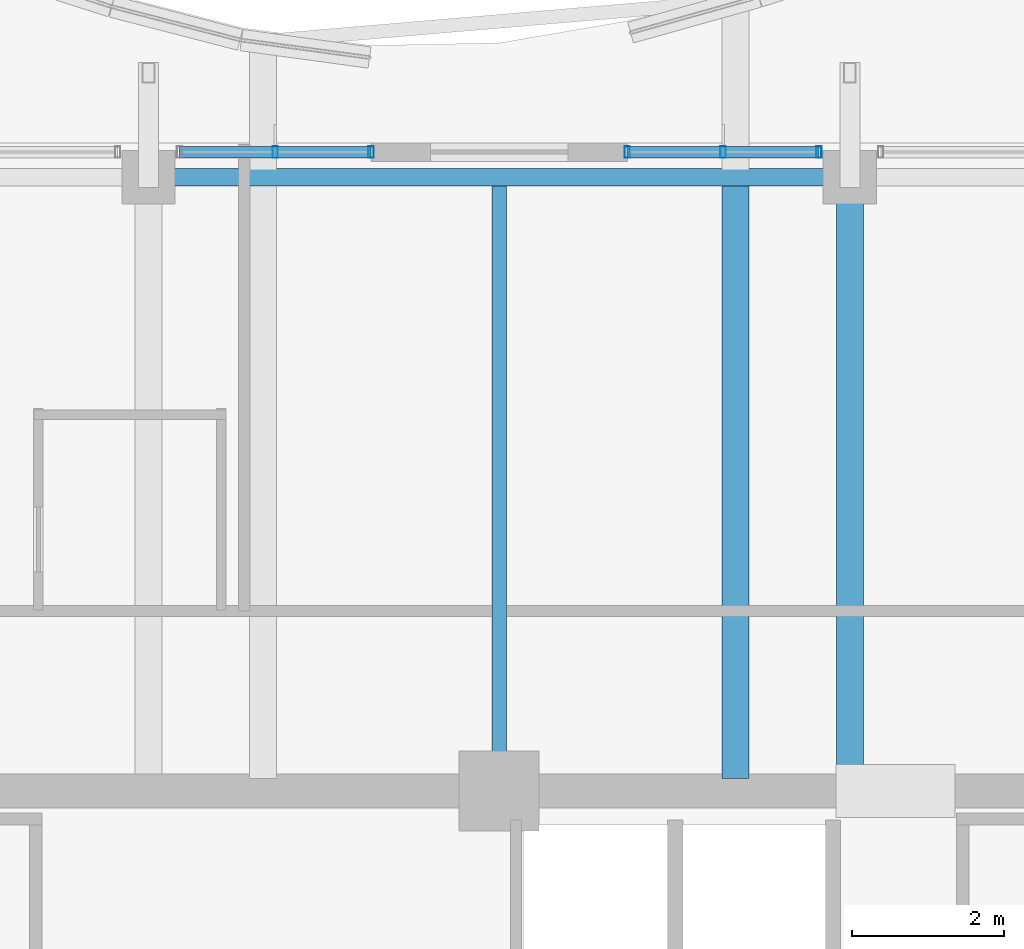
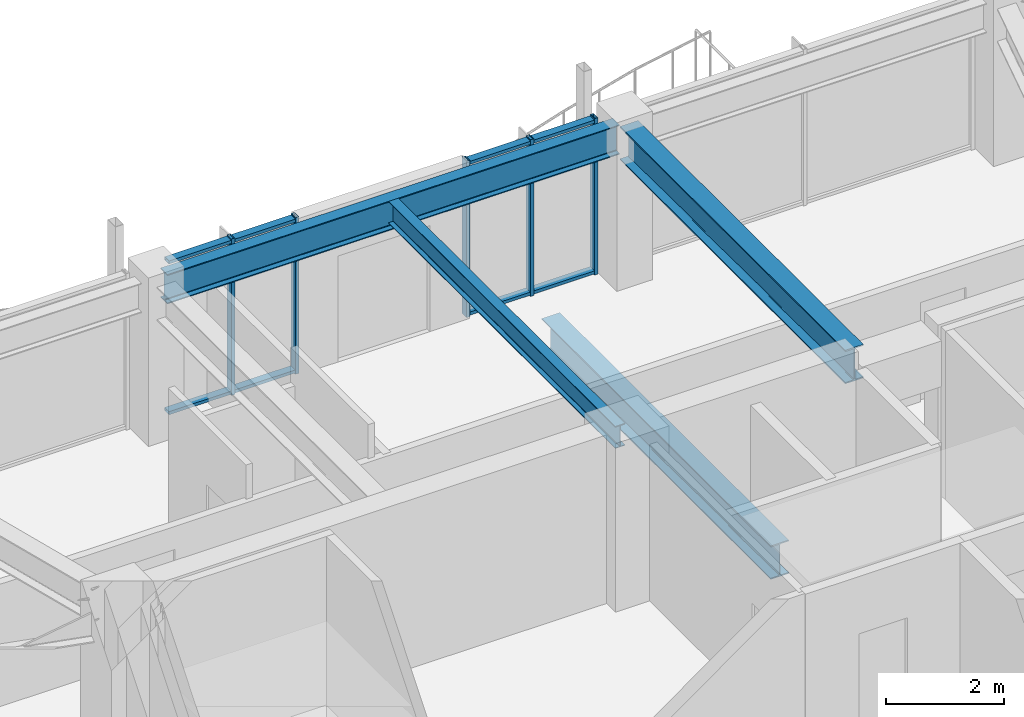
# One storey, part 16 of 31: 9 members, 4 beams, 2 elements without a shape of their own.
"""IFC4 building model written with IfcOpenShell, lengths in metres."""

from ifc_helpers import new_model, si_unit, direction, frame, origin, origin_2d, place, context, subcontext, project, spatial, hollow_rectangle, i_section, extrude, material, material_profile, profile_set, type_object, element, aggregate, save


model = new_model("IFC4")

# Units and contexts
model_context = context("Model", 3, precision=1e-05, world=origin(), true_north=direction((0.0, 1.0)))
body_context = subcontext(model_context, "Body", "Model", "MODEL_VIEW")
ifc_project = project(units=[si_unit("LENGTHUNIT", "METRE"), si_unit("AREAUNIT", "SQUARE_METRE"), si_unit("VOLUMEUNIT", "CUBIC_METRE"), si_unit("PLANEANGLEUNIT", "RADIAN"), si_unit("MASSUNIT", "GRAM", prefix="KILO")], contexts=[model_context])

# Site, building, storey
site_placement = place(None, origin())
site = spatial("IfcSite", under=ifc_project, at=site_placement, CompositionType="ELEMENT")
building_placement = place(site_placement, origin())
building = spatial("IfcBuilding", under=site, at=building_placement, Name="Kolvaren Belvedere", CompositionType="ELEMENT")
storey_placement = place(building_placement, frame((0.0, 0.0, 247.89990234375)))
storey = spatial("IfcBuildingStorey", under=building, at=storey_placement, Name="L72", CompositionType="ELEMENT", Elevation=247.89990234375)

# Beams
ifc_material_1 = material(Name="Structural steel ASTM A992 Grade 50", Category="steel")
ifc_material_profile_1 = material_profile(ifc_material_1, i_section(OverallWidth=0.35498046875, OverallDepth=0.696044921875, WebThickness=0.015380859375, FlangeThickness=0.02490234375, FilletRadius=0.02197265625, at=origin_2d()), Name="W27X146")
ifc_profile_set_1 = profile_set([ifc_material_profile_1], Name="Structural steel ASTM A992 Grade 50")
beam_type_1 = type_object("IfcBeamType", Name="BM-GIRD-W27X146", PredefinedType="BEAM", material=ifc_profile_set_1)
beam_1_placement = place(storey_placement, frame((3.10009765625, 10.06494140625, -0.597900390625), z_axis=(0.0, 1.0, 0.0), x_axis=(-1.0, 0.0, 0.0)))
element("IfcBeam", 1, at=beam_1_placement, inside=storey, type_object=beam_type_1, Name="L72 Balcony Interior Back-Span Girder BAL-N-2", PredefinedType="BEAM", context=body_context, shape_type="SweptSolid", body=[
    extrude(i_section(OverallWidth=0.35498046875, OverallDepth=0.696044921875, WebThickness=0.015380859375, FlangeThickness=0.02490234375, FilletRadius=0.02197265625, at=origin_2d()), origin(), (0.0, 0.0, 1.0), 7.7900390625),
])
beam_2_placement = place(storey_placement, frame((4.60009765625, 10.125, 2.902099609375), z_axis=(0.0, 1.0, 0.0), x_axis=(-1.0, 0.0, 0.0)))
element("IfcBeam", 2, at=beam_2_placement, inside=storey, type_object=beam_type_1, Name="L72 North Radial Girder P", PredefinedType="BEAM", context=body_context, shape_type="SweptSolid", body=[
    extrude(i_section(OverallWidth=0.35498046875, OverallDepth=0.696044921875, WebThickness=0.015380859375, FlangeThickness=0.02490234375, FilletRadius=0.02197265625, at=origin_2d()), origin(), (0.0, 0.0, 1.0), 7.66748046875),
])
ifc_material_2 = material(Name="Structural steel ASTM A992 Grade 50", Category="steel")
ifc_material_profile_2 = material_profile(ifc_material_2, i_section(OverallWidth=0.19091796875, OverallDepth=0.4599609375, WebThickness=0.010009765625, FlangeThickness=0.01611328125, FilletRadius=0.014892578125, at=origin_2d()), Name="W18X55")
ifc_profile_set_2 = profile_set([ifc_material_profile_2], Name="Structural steel ASTM A992 Grade 50")
beam_type_2 = type_object("IfcBeamType", Name="BM-JOIST-W18X55", PredefinedType="BEAM", material=ifc_profile_set_2)
beam_3_placement = place(storey_placement, frame((0.0, 10.125, 3.02001953125), z_axis=(0.0, 1.0, 0.0), x_axis=(-1.0, 0.0, 0.0)))
element("IfcBeam", 3, at=beam_3_placement, inside=storey, type_object=beam_type_2, Name="L72 North Centre Floor Beam", PredefinedType="BEAM", context=body_context, shape_type="SweptSolid", body=[
    extrude(i_section(OverallWidth=0.19091796875, OverallDepth=0.4599609375, WebThickness=0.010009765625, FlangeThickness=0.01611328125, FilletRadius=0.014892578125, at=origin_2d()), origin(), (0.0, 0.0, 1.0), 7.71044921875),
])
ifc_material_3 = material(Name="Structural steel ASTM A992 Grade 50", Category="steel")
ifc_material_profile_3 = material_profile(ifc_material_3, i_section(OverallWidth=0.22900390625, OverallDepth=0.612060546875, WebThickness=0.011962890625, FlangeThickness=0.01953125, FilletRadius=0.01806640625, at=origin_2d()), Name="W24X84")
ifc_profile_set_3 = profile_set([ifc_material_profile_3], Name="Structural steel ASTM A992 Grade 50")
beam_type_3 = type_object("IfcBeamType", Name="BM-SPAN-W24X84", PredefinedType="SPANDREL", material=ifc_profile_set_3)
beam_4_placement = place(storey_placement, frame((4.4423828125, 17.949951171875, 2.944091796875), z_axis=(-1.0, 0.0, 0.0), x_axis=(0.0, -1.0, 0.0)))
element("IfcBeam", 4, at=beam_4_placement, inside=storey, type_object=beam_type_3, Name="L72 Perimeter Spandrel N3-N2", PredefinedType="SPANDREL", context=body_context, shape_type="SweptSolid", body=[
    extrude(i_section(OverallWidth=0.22900390625, OverallDepth=0.612060546875, WebThickness=0.011962890625, FlangeThickness=0.01953125, FilletRadius=0.01806640625, at=origin_2d()), origin(), (0.0, 0.0, 1.0), 8.884765625),
])

# Curtain wall, members
ifc_material_4 = material(Name="Anodised pale-metal aluminium AA 6063-T6", Category="aluminium")
curtain_wall_type = type_object("IfcCurtainWallType", Name="CW-Z5-HIGH", PredefinedType="NOTDEFINED", material=ifc_material_4)
curtain_wall_1_placement = place(storey_placement, origin())
curtain_wall_1 = element("IfcCurtainWall", 5, at=curtain_wall_1_placement, inside=storey, type_object=curtain_wall_type, Name="L72 Unitised Curtain Wall FCW-L72-N1-B2", PredefinedType="NOTDEFINED")
ifc_material_5 = material(Name="Anodised pale-metal aluminium AA 6063-T6", Category="aluminium")
ifc_material_profile_4 = material_profile(ifc_material_5, hollow_rectangle(XDim=0.070068359375, YDim=0.14990234375, WallThickness=0.004150390625, at=origin_2d()), Name="ALU-MUL-150X70")
ifc_profile_set_4 = profile_set([ifc_material_profile_4], Name="Anodised pale-metal aluminium AA 6063-T6")
member_type_1 = type_object("IfcMemberType", Name="CW-MUL-150", PredefinedType="MULLION", material=ifc_profile_set_4)
member_1_placement = place(storey_placement, frame((-2.9375, 18.280029296875, 0.0), z_axis=(0.0, 0.0, 1.0), x_axis=(1.0, 0.0, 0.0)))
member_1 = element("IfcMember", 6, at=member_1_placement, type_object=member_type_1, Name="FCW-L72-N1-B2 Unitised Mullion 2", PredefinedType="MULLION", context=body_context, shape_type="SweptSolid", body=[
    extrude(hollow_rectangle(XDim=0.070068359375, YDim=0.14990234375, WallThickness=0.004150390625, at=origin_2d()), origin(), (0.0, 0.0, 1.0), 3.25),
])
member_2_placement = place(storey_placement, frame((-1.679931640625, 18.280029296875, 0.0), z_axis=(0.0, 0.0, 1.0), x_axis=(1.0, 0.0, 0.0)))
member_2 = element("IfcMember", 7, at=member_2_placement, type_object=member_type_1, Name="FCW-L72-N1-B2 Unitised Mullion 3", PredefinedType="MULLION", context=body_context, shape_type="SweptSolid", body=[
    extrude(hollow_rectangle(XDim=0.070068359375, YDim=0.14990234375, WallThickness=0.004150390625, at=origin_2d()), origin(), (0.0, 0.0, 1.0), 3.25),
])

curtain_wall_2_placement = place(storey_placement, origin())
curtain_wall_2 = element("IfcCurtainWall", 8, at=curtain_wall_2_placement, inside=storey, type_object=curtain_wall_type, Name="L72 Unitised Curtain Wall FCW-L72-N2-B1", PredefinedType="NOTDEFINED")
member_3_placement = place(storey_placement, frame((1.679931640625, 18.280029296875, 0.0), z_axis=(0.0, 0.0, 1.0), x_axis=(1.0, 0.0, 0.0)))
member_3 = element("IfcMember", 9, at=member_3_placement, type_object=member_type_1, Name="FCW-L72-N2-B1 Unitised Mullion 1", PredefinedType="MULLION", context=body_context, shape_type="SweptSolid", body=[
    extrude(hollow_rectangle(XDim=0.070068359375, YDim=0.14990234375, WallThickness=0.004150390625, at=origin_2d()), origin(), (0.0, 0.0, 1.0), 3.25),
])
member_4_placement = place(storey_placement, frame((2.9375, 18.280029296875, 0.0), z_axis=(0.0, 0.0, 1.0), x_axis=(1.0, 0.0, 0.0)))
member_4 = element("IfcMember", 10, at=member_4_placement, type_object=member_type_1, Name="FCW-L72-N2-B1 Unitised Mullion 2", PredefinedType="MULLION", context=body_context, shape_type="SweptSolid", body=[
    extrude(hollow_rectangle(XDim=0.070068359375, YDim=0.14990234375, WallThickness=0.004150390625, at=origin_2d()), origin(), (0.0, 0.0, 1.0), 3.25),
])
member_5_placement = place(storey_placement, frame((4.195068359375, 18.280029296875, 0.0), z_axis=(0.0, 0.0, 1.0), x_axis=(1.0, 0.0, 0.0)))
member_5 = element("IfcMember", 11, at=member_5_placement, type_object=member_type_1, Name="FCW-L72-N2-B1 Unitised Mullion 3", PredefinedType="MULLION", context=body_context, shape_type="SweptSolid", body=[
    extrude(hollow_rectangle(XDim=0.070068359375, YDim=0.14990234375, WallThickness=0.004150390625, at=origin_2d()), origin(), (0.0, 0.0, 1.0), 3.25),
])

# Member
ifc_material_6 = material(Name="Anodised pale-metal aluminium AA 6063-T6", Category="aluminium")
ifc_material_profile_5 = material_profile(ifc_material_6, hollow_rectangle(XDim=0.06494140625, YDim=0.14990234375, WallThickness=0.00390625, at=origin_2d()), Name="ALU-TRN-150X65")
ifc_profile_set_5 = profile_set([ifc_material_profile_5], Name="Anodised pale-metal aluminium AA 6063-T6")
member_type_2 = type_object("IfcMemberType", Name="CW-TRN-150", PredefinedType="USERDEFINED", material=ifc_profile_set_5)
member_6_placement = place(storey_placement, frame((-4.195068359375, 18.280029296875, 0.06005859375), z_axis=(1.0, 0.0, 0.0), x_axis=(0.0, 0.0, 1.0)))
member_6 = element("IfcMember", 12, at=member_6_placement, type_object=member_type_2, Name="FCW-L72-N1-B2 Sill Transom", ObjectType="TRANSOM", PredefinedType="USERDEFINED", context=body_context, shape_type="SweptSolid", body=[
    extrude(hollow_rectangle(XDim=0.06494140625, YDim=0.14990234375, WallThickness=0.00390625, at=origin_2d()), origin(), (0.0, 0.0, 1.0), 2.51513671875),
])

member_7_placement = place(storey_placement, frame((-4.195068359375, 18.280029296875, 3.190185546875), z_axis=(1.0, 0.0, 0.0), x_axis=(0.0, 0.0, 1.0)))
member_7 = element("IfcMember", 13, at=member_7_placement, type_object=member_type_2, Name="FCW-L72-N1-B2 Head Transom", ObjectType="TRANSOM", PredefinedType="USERDEFINED", context=body_context, shape_type="SweptSolid", body=[
    extrude(hollow_rectangle(XDim=0.06494140625, YDim=0.14990234375, WallThickness=0.00390625, at=origin_2d()), origin(), (0.0, 0.0, 1.0), 2.51513671875),
])

aggregate(curtain_wall_1, [member_1, member_2, member_6, member_7])

member_8_placement = place(storey_placement, frame((1.679931640625, 18.280029296875, 0.06005859375), z_axis=(1.0, 0.0, 0.0), x_axis=(0.0, 0.0, 1.0)))
member_8 = element("IfcMember", 14, at=member_8_placement, type_object=member_type_2, Name="FCW-L72-N2-B1 Sill Transom", ObjectType="TRANSOM", PredefinedType="USERDEFINED", context=body_context, shape_type="SweptSolid", body=[
    extrude(hollow_rectangle(XDim=0.06494140625, YDim=0.14990234375, WallThickness=0.00390625, at=origin_2d()), origin(), (0.0, 0.0, 1.0), 2.51513671875),
])

member_9_placement = place(storey_placement, frame((1.679931640625, 18.280029296875, 3.190185546875), z_axis=(1.0, 0.0, 0.0), x_axis=(0.0, 0.0, 1.0)))
member_9 = element("IfcMember", 15, at=member_9_placement, type_object=member_type_2, Name="FCW-L72-N2-B1 Head Transom", ObjectType="TRANSOM", PredefinedType="USERDEFINED", context=body_context, shape_type="SweptSolid", body=[
    extrude(hollow_rectangle(XDim=0.06494140625, YDim=0.14990234375, WallThickness=0.00390625, at=origin_2d()), origin(), (0.0, 0.0, 1.0), 2.51513671875),
])

aggregate(curtain_wall_2, [member_3, member_4, member_5, member_8, member_9])

save(model, "model.ifc")
